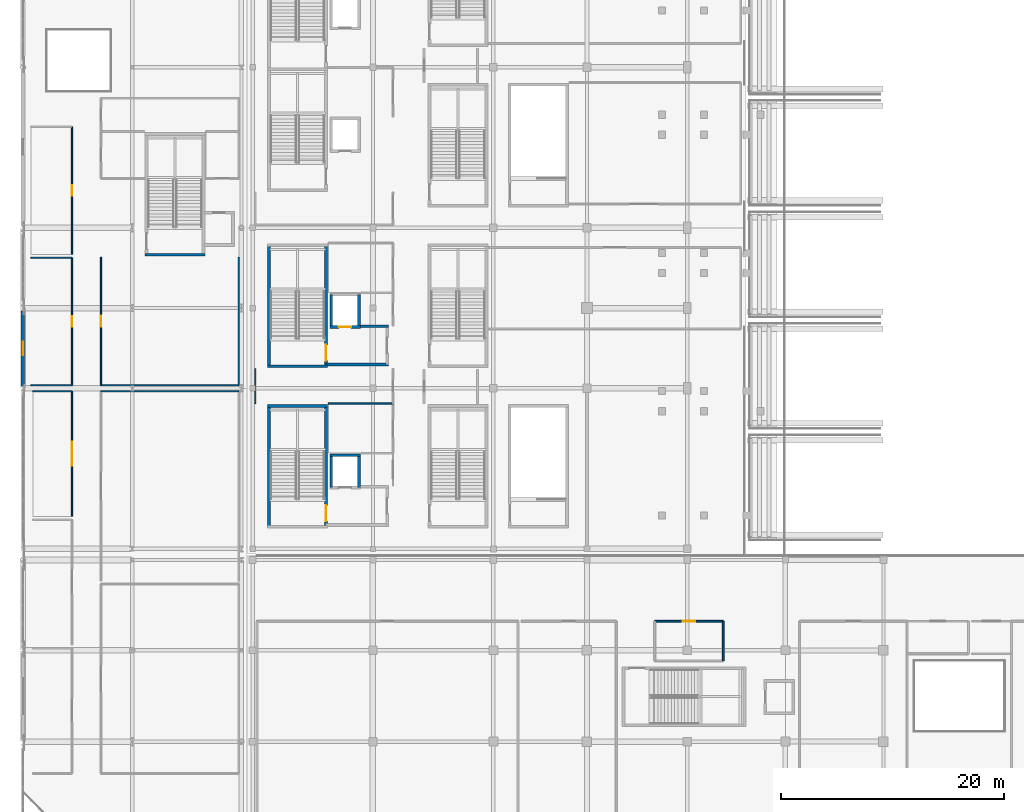
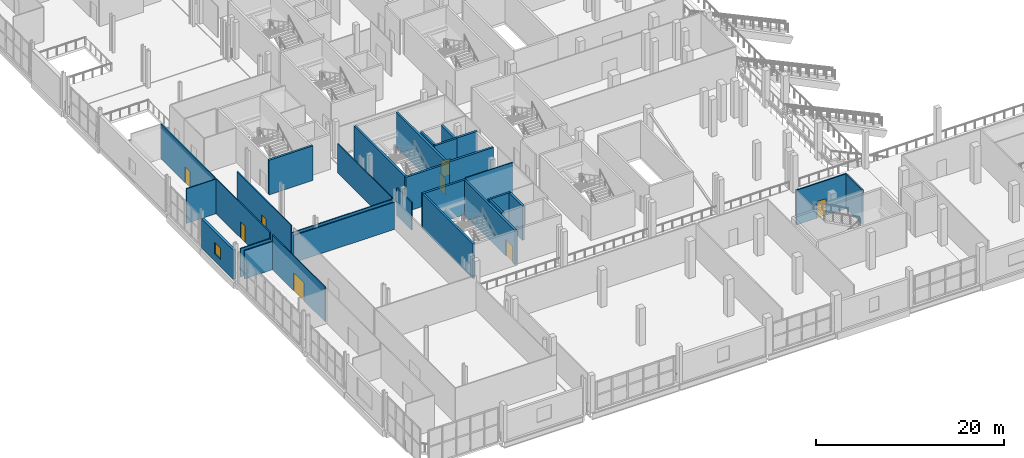
# One storey, part 70 of 129: 30 walls, 8 doors, 1 window, 9 openings.
"""IFC4 building model written with IfcOpenShell, lengths in metres."""

from ifc_helpers import new_model, si_unit, direction, frame, frame_2d, origin, place, context, subcontext, project, spatial, rectangle, extrude, material, layer, layer_set, type_object, element, fill, save


model = new_model("IFC4")

# Units and contexts
model_context = context("Model", 3, precision=1e-05, world=origin(), true_north=direction((0.0, 1.0)))
body_context = subcontext(model_context, "Body", "Model", "MODEL_VIEW")
ifc_project = project(units=[si_unit("LENGTHUNIT", "METRE"), si_unit("AREAUNIT", "SQUARE_METRE"), si_unit("VOLUMEUNIT", "CUBIC_METRE"), si_unit("PLANEANGLEUNIT", "RADIAN"), si_unit("MASSUNIT", "GRAM", prefix="KILO")], contexts=[model_context])

# Site, building, storey
site_placement = place(None, origin())
site = spatial("IfcSite", under=ifc_project, at=site_placement, CompositionType="ELEMENT")
building_placement = place(site_placement, origin())
building = spatial("IfcBuilding", under=site, at=building_placement, Name="Koshinbarg Plaza Stadium", CompositionType="ELEMENT")
storey_placement = place(building_placement, frame((0.0, 0.0, 5.39990234375)))
storey = spatial("IfcBuildingStorey", under=building, at=storey_placement, Name="L01", CompositionType="ELEMENT", Elevation=5.39990234375)

# Walls
ifc_material_1 = material(Name="Concrete C40/50", Category="concrete")
ifc_layer_1 = layer(ifc_material_1, 0.25)
ifc_layer_set_1 = layer_set([ifc_layer_1], Name="Concrete C40/50")
wall_type_1 = type_object("IfcWallType", Name="WL-CORE-250", PredefinedType="SHEAR", material=ifc_layer_set_1)
wall_1_placement = place(storey_placement, frame((31.320068359375, 38.324951171875, 0.0), z_axis=(0.0, 0.0, 1.0), x_axis=(-1.0, 0.0, 0.0)))
element("IfcWall", 1, at=wall_1_placement, inside=storey, type_object=wall_type_1, Name="L01 core stair shear wall C01-far IWL-L01-0006", PredefinedType="SHEAR", context=body_context, shape_type="SweptSolid", body=[
    extrude(rectangle(XDim=5.3701171875, YDim=0.25, at=frame_2d((2.68505859375, 0.0))), origin(), (0.0, 0.0, 1.0), 4.5),
])
wall_2_placement = place(storey_placement, frame((26.074951171875, 27.47509765625, 0.0), z_axis=(0.0, 0.0, 1.0), x_axis=(0.0, 1.0, 0.0)))
element("IfcWall", 2, at=wall_2_placement, inside=storey, type_object=wall_type_1, Name="L01 core stair shear wall C01-left IWL-L01-0007", PredefinedType="SHEAR", context=body_context, shape_type="SweptSolid", body=[
    extrude(rectangle(XDim=10.849853515625, YDim=0.25, at=frame_2d((5.4248046875, 0.0))), origin(), (0.0, 0.0, 1.0), 4.5),
])

# Wall, opening, door
wall_3_placement = place(storey_placement, frame((31.195068359375, 27.47509765625, 0.0), z_axis=(0.0, 0.0, 1.0), x_axis=(0.0, 1.0, 0.0)))
wall_3 = element("IfcWall", 3, at=wall_3_placement, inside=storey, type_object=wall_type_1, Name="L01 core stair shear wall C01-right IWL-L01-0008", PredefinedType="SHEAR", context=body_context, shape_type="SweptSolid", body=[
    extrude(rectangle(XDim=10.849853515625, YDim=0.25, at=frame_2d((5.4248046875, 0.0))), origin(), (0.0, 0.0, 1.0), 4.5),
])
opening_1_placement = place(wall_3_placement, frame((0.52001953125, 0.0, 0.0)))
opening_1 = element("IfcOpeningElement", 4, at=opening_1_placement, cuts=wall_3, Name="Opening D-0062", PredefinedType="OPENING", context=body_context, shape_type="SweptSolid", body=[
    extrude(rectangle(XDim=1.39990234375, YDim=2.14990234375, at=frame_2d((0.699951171875, 1.074951171875))), frame((0.0, 0.135009765625, 0.0), z_axis=(0.0, -1.0, 0.0), x_axis=(1.0, 0.0, 0.0)), (0.0, 0.0, 1.0), 0.27001953125),
])
ifc_material_2 = material(Name="Painted galvanized steel fire door", Category="steel")
door_type_1 = type_object("IfcDoorType", Name="DR-STAIR-1400", OperationType="NOTDEFINED", PredefinedType="DOOR", material=ifc_material_2)
door_1_placement = place(opening_1_placement, origin())
door_1 = element("IfcDoor", 5, at=door_1_placement, inside=storey, type_object=door_type_1, Name="L01 exit stair door C01", OperationType="SINGLE_SWING_RIGHT", OverallHeight=2.14990234375, OverallWidth=1.39990234375, PredefinedType="DOOR", context=body_context, shape_type="SweptSolid", body=[
    extrude(rectangle(XDim=1.39990234375, YDim=2.14990234375, at=frame_2d((0.699951171875, 1.074951171875))), frame((0.0, 0.02490234375, 0.0), z_axis=(0.0, -1.0, 0.0), x_axis=(1.0, 0.0, 0.0)), (0.0, 0.0, 1.0), 0.050048828125),
])
fill(opening_1, door_1)

# Walls
wall_4_placement = place(storey_placement, frame((25.949951171875, 41.875, 0.0), z_axis=(0.0, 0.0, 1.0), x_axis=(1.0, 0.0, 0.0)))
element("IfcWall", 6, at=wall_4_placement, inside=storey, type_object=wall_type_1, Name="L01 core stair shear wall C02-near IWL-L01-0033", PredefinedType="SHEAR", context=body_context, shape_type="SweptSolid", body=[
    extrude(rectangle(XDim=5.3701171875, YDim=0.25, at=frame_2d((2.68505859375, 0.0))), origin(), (0.0, 0.0, 1.0), 4.5),
])
wall_5_placement = place(storey_placement, frame((26.074951171875, 41.875, 0.0), z_axis=(0.0, 0.0, 1.0), x_axis=(0.0, 1.0, 0.0)))
element("IfcWall", 7, at=wall_5_placement, inside=storey, type_object=wall_type_1, Name="L01 core stair shear wall C02-left IWL-L01-0035", PredefinedType="SHEAR", context=body_context, shape_type="SweptSolid", body=[
    extrude(rectangle(XDim=10.85009765625, YDim=0.25, at=frame_2d((5.425048828125, 0.0))), origin(), (0.0, 0.0, 1.0), 4.5),
])

# Wall, opening, door
wall_6_placement = place(storey_placement, frame((31.195068359375, 41.875, 0.0), z_axis=(0.0, 0.0, 1.0), x_axis=(0.0, 1.0, 0.0)))
wall_6 = element("IfcWall", 8, at=wall_6_placement, inside=storey, type_object=wall_type_1, Name="L01 core stair shear wall C02-right IWL-L01-0036", PredefinedType="SHEAR", context=body_context, shape_type="SweptSolid", body=[
    extrude(rectangle(XDim=10.85009765625, YDim=0.25, at=frame_2d((5.425048828125, 0.0))), origin(), (0.0, 0.0, 1.0), 4.5),
])
opening_2_placement = place(wall_6_placement, frame((0.52001953125, 0.0, 0.0)))
opening_2 = element("IfcOpeningElement", 9, at=opening_2_placement, cuts=wall_6, Name="Opening D-0069", PredefinedType="OPENING", context=body_context, shape_type="SweptSolid", body=[
    extrude(rectangle(XDim=1.39990234375, YDim=2.14990234375, at=frame_2d((0.699951171875, 1.074951171875))), frame((0.0, 0.135009765625, 0.0), z_axis=(0.0, -1.0, 0.0), x_axis=(1.0, 0.0, 0.0)), (0.0, 0.0, 1.0), 0.27001953125),
])
door_2_placement = place(opening_2_placement, origin())
door_2 = element("IfcDoor", 10, at=door_2_placement, inside=storey, type_object=door_type_1, Name="L01 exit stair door C02", OperationType="SINGLE_SWING_RIGHT", OverallHeight=2.14990234375, OverallWidth=1.39990234375, PredefinedType="DOOR", context=body_context, shape_type="SweptSolid", body=[
    extrude(rectangle(XDim=1.39990234375, YDim=2.14990234375, at=frame_2d((0.699951171875, 1.074951171875))), frame((0.0, 0.02490234375, 0.0), z_axis=(0.0, -1.0, 0.0), x_axis=(1.0, 0.0, 0.0)), (0.0, 0.0, 1.0), 0.050048828125),
])
fill(opening_2, door_2)

# Walls
wall_7_placement = place(storey_placement, frame((14.949951171875, 51.875, 0.0), z_axis=(0.0, 0.0, 1.0), x_axis=(1.0, 0.0, 0.0)))
element("IfcWall", 11, at=wall_7_placement, inside=storey, type_object=wall_type_1, Name="L01 core stair shear wall C16-near IWL-L01-0346", PredefinedType="SHEAR", context=body_context, shape_type="SweptSolid", body=[
    extrude(rectangle(XDim=5.3701171875, YDim=0.25, at=frame_2d((2.68505859375, 0.0))), origin(), (0.0, 0.0, 1.0), 4.5),
])
wall_8_placement = place(storey_placement, frame((34.27490234375, 33.89990234375, 0.0), z_axis=(0.0, 0.0, 1.0), x_axis=(-1.0, 0.0, 0.0)))
element("IfcWall", 12, at=wall_8_placement, inside=storey, type_object=wall_type_1, Name="L01 lift shaft shear wall FL01-N IWL-L01-0618", PredefinedType="SHEAR", context=body_context, shape_type="SweptSolid", body=[
    extrude(rectangle(XDim=2.75, YDim=0.25, at=frame_2d((1.375, 0.0))), origin(), (0.0, 0.0, 1.0), 4.5),
])
for number, where, z_axis, x_axis, name in (
    (13, (31.64990234375, 33.89990234375, 0.0), (0.0, 0.0, 1.0), (0.0, -1.0, 0.0), "L01 lift shaft shear wall FL01-W IWL-L01-0619"),
    (14, (34.14990234375, 31.0, 0.0), (0.0, 0.0, 1.0), (0.0, 1.0, 0.0), "L01 lift shaft shear wall FL01-E IWL-L01-0620"),
):
    element("IfcWall", number, at=place(storey_placement, frame(where, z_axis=z_axis, x_axis=x_axis)), inside=storey, type_object=wall_type_1, Name=name, PredefinedType="SHEAR", context=body_context, shape_type="SweptSolid", body=[
        extrude(rectangle(XDim=2.89990234375, YDim=0.25, at=frame_2d((1.449951171875, 0.0))), origin(), (0.0, 0.0, 1.0), 4.5),
    ])

# Wall, opening, door
wall_9_placement = place(storey_placement, frame((31.52490234375, 45.39990234375, 0.0), z_axis=(0.0, 0.0, 1.0), x_axis=(1.0, 0.0, 0.0)))
wall_9 = element("IfcWall", 15, at=wall_9_placement, inside=storey, type_object=wall_type_1, Name="L01 lift shaft shear wall FL02-S IWL-L01-0666", PredefinedType="SHEAR", context=body_context, shape_type="SweptSolid", body=[
    extrude(rectangle(XDim=2.75, YDim=0.25, at=frame_2d((1.375, 0.0))), origin(), (0.0, 0.0, 1.0), 4.5),
])
opening_3_placement = place(wall_9_placement, frame((0.824951171875, 0.0, 0.0)))
opening_3 = element("IfcOpeningElement", 16, at=opening_3_placement, cuts=wall_9, Name="Opening D-0231", PredefinedType="OPENING", context=body_context, shape_type="SweptSolid", body=[
    extrude(rectangle(XDim=1.10009765625, YDim=2.14990234375, at=frame_2d((0.550048828125, 1.074951171875))), frame((0.0, 0.135009765625, 0.0), z_axis=(0.0, -1.0, 0.0), x_axis=(1.0, 0.0, 0.0)), (0.0, 0.0, 1.0), 0.27001953125),
])
ifc_material_3 = material(Name="Brushed stainless steel sliding lift landing door", Category="steel")
door_type_2 = type_object("IfcDoorType", Name="DR-LIFT-1100", OperationType="NOTDEFINED", PredefinedType="DOOR", material=ifc_material_3)
door_3_placement = place(opening_3_placement, origin())
door_3 = element("IfcDoor", 17, at=door_3_placement, inside=storey, type_object=door_type_2, Name="L01 lift landing door FL02", OperationType="SLIDING_TO_LEFT", OverallHeight=2.14990234375, OverallWidth=1.10009765625, PredefinedType="DOOR", context=body_context, shape_type="SweptSolid", body=[
    extrude(rectangle(XDim=1.10009765625, YDim=2.14990234375, at=frame_2d((0.550048828125, 1.074951171875))), frame((0.0, 0.02490234375, 0.0), z_axis=(0.0, -1.0, 0.0), x_axis=(1.0, 0.0, 0.0)), (0.0, 0.0, 1.0), 0.050048828125),
])
fill(opening_3, door_3)

# Walls
for number, where, z_axis, x_axis, name in (
    (18, (31.64990234375, 48.300048828125, 0.0), (0.0, 0.0, 1.0), (0.0, -1.0, 0.0), "L01 lift shaft shear wall FL02-W IWL-L01-0668"),
    (19, (34.14990234375, 45.39990234375, 0.0), (0.0, 0.0, 1.0), (0.0, 1.0, 0.0), "L01 lift shaft shear wall FL02-E IWL-L01-0669"),
):
    element("IfcWall", number, at=place(storey_placement, frame(where, z_axis=z_axis, x_axis=x_axis)), inside=storey, type_object=wall_type_1, Name=name, PredefinedType="SHEAR", context=body_context, shape_type="SweptSolid", body=[
        extrude(rectangle(XDim=2.900146484375, YDim=0.25, at=frame_2d((1.4501953125, 0.0))), origin(), (0.0, 0.0, 1.0), 4.5),
    ])
wall_10_placement = place(storey_placement, frame((34.27490234375, 45.47509765625, 0.0), z_axis=(0.0, 0.0, 1.0), x_axis=(1.0, 0.0, 0.0)))
element("IfcWall", 20, at=wall_10_placement, inside=storey, type_object=wall_type_1, Name="L01 firefighting lobby wall C02-NE IWL-L01-0671", PredefinedType="SHEAR", context=body_context, shape_type="SweptSolid", body=[
    extrude(rectangle(XDim=2.525146484375, YDim=0.25, at=frame_2d((1.2626953125, 0.0))), origin(), (0.0, 0.0, 1.0), 4.5),
])
wall_11_placement = place(storey_placement, frame((31.199951171875, 42.02490234375, 0.0), z_axis=(0.0, 0.0, 1.0), x_axis=(1.0, 0.0, 0.0)))
element("IfcWall", 21, at=wall_11_placement, inside=storey, type_object=wall_type_1, Name="L01 firefighting lobby wall C02-S IWL-L01-0672", PredefinedType="SHEAR", context=body_context, shape_type="SweptSolid", body=[
    extrude(rectangle(XDim=5.60009765625, YDim=0.25, at=frame_2d((2.800048828125, 0.0))), origin(), (0.0, 0.0, 1.0), 4.5),
])

# Wall, opening, window
ifc_material_4 = material(Name="Ultramarine-blue pigmented mineral plaster facade wall", Category="masonry")
ifc_layer_2 = layer(ifc_material_4, 0.320068359375)
ifc_layer_set_2 = layer_set([ifc_layer_2], Name="Ultramarine-blue pigmented mineral plaster facade wall")
wall_type_2 = type_object("IfcWallType", Name="WL-EXT-320", PredefinedType="SOLIDWALL", material=ifc_layer_set_2)
wall_12_placement = place(storey_placement, frame((4.0, 40.0849609375, 0.0), z_axis=(0.0, 0.0, 1.0), x_axis=(0.0, 1.0, 0.0)))
wall_12 = element("IfcWall", 22, at=wall_12_placement, inside=storey, type_object=wall_type_2, Name="L01 exterior envelope wall EWL-L01-0074", PredefinedType="SOLIDWALL", context=body_context, shape_type="SweptSolid", body=[
    extrude(rectangle(XDim=6.77001953125, YDim=0.320068359375, at=frame_2d((3.385009765625, 0.0))), origin(), (0.0, 0.0, 1.0), 3.780029296875),
])
opening_4_placement = place(wall_12_placement, frame((2.784912109375, 0.0, 0.89990234375)))
opening_4 = element("IfcOpeningElement", 23, at=opening_4_placement, cuts=wall_12, Name="Opening WN01", PredefinedType="OPENING", context=body_context, shape_type="SweptSolid", body=[
    extrude(rectangle(XDim=1.199951171875, YDim=1.5, at=frame_2d((0.60009765625, 0.75))), frame((0.0, 0.169921875, 0.0), z_axis=(0.0, -1.0, 0.0), x_axis=(1.0, 0.0, 0.0)), (0.0, 0.0, 1.0), 0.340087890625),
])
ifc_material_5 = material(Name="Solar-control double glazing in thermally broken aluminium frame", Category="aluminium")
window_type = type_object("IfcWindowType", Name="WN-FAC-01", PartitioningType="DOUBLE_PANEL_VERTICAL", PredefinedType="WINDOW", material=ifc_material_5)
window_placement = place(opening_4_placement, origin())
window = element("IfcWindow", 24, at=window_placement, inside=storey, type_object=window_type, Name="L01 facade window 0017", OverallHeight=1.5, OverallWidth=1.199951171875, PartitioningType="SINGLE_PANEL", PredefinedType="WINDOW", context=body_context, shape_type="SweptSolid", body=[
    extrude(rectangle(XDim=1.199951171875, YDim=1.5, at=frame_2d((0.60009765625, 0.75))), frame((0.0, 0.030029296875, 0.0), z_axis=(0.0, -1.0, 0.0), x_axis=(1.0, 0.0, 0.0)), (0.0, 0.0, 1.0), 0.06005859375),
])
fill(opening_4, window)

# Walls
ifc_material_6 = material(Name="Gypsum board metal-stud acoustic partition")
ifc_layer_3 = layer(ifc_material_6, 0.1201171875)
ifc_layer_set_3 = layer_set([ifc_layer_3], Name="Gypsum board metal-stud acoustic partition")
wall_type_3 = type_object("IfcWallType", Name="WL-PART-120", PredefinedType="PARTITIONING", material=ifc_layer_set_3)
wall_13_placement = place(storey_placement, frame((24.844970703125, 41.669921875, 0.0), z_axis=(0.0, 0.0, 1.0), x_axis=(0.0, -1.0, 0.0)))
element("IfcWall", 25, at=wall_13_placement, inside=storey, type_object=wall_type_3, Name="L01 interior partition L01-76-west IWL-L01-1346", PredefinedType="PARTITIONING", context=body_context, shape_type="SweptSolid", body=[
    extrude(rectangle(XDim=3.139892578125, YDim=0.1201171875, at=frame_2d((1.56982421875, 0.0))), origin(), (0.0, 0.0, 1.0), 3.580078125),
])
wall_14_placement = place(storey_placement, frame((37.199951171875, 38.530029296875, 0.0), z_axis=(0.0, 0.0, 1.0), x_axis=(-1.0, 0.0, 0.0)))
element("IfcWall", 26, at=wall_14_placement, inside=storey, type_object=wall_type_3, Name="L01 interior partition L01-77-north IWL-L01-1348", PredefinedType="PARTITIONING", context=body_context, shape_type="SweptSolid", body=[
    extrude(rectangle(XDim=5.800048828125, YDim=0.1201171875, at=frame_2d((2.89990234375, 0.0))), origin(), (0.0, 0.0, 1.0), 4.5),
])

# Wall, opening, door
wall_15_placement = place(storey_placement, frame((8.39990234375, 28.4033203125, 0.0), z_axis=(0.0, 0.0, 1.0), x_axis=(0.0, 1.0, 0.0)))
wall_15 = element("IfcWall", 27, at=wall_15_placement, inside=storey, type_object=wall_type_3, Name="L01 interior partition L01-169-east IWL-L01-1594", PredefinedType="PARTITIONING", context=body_context, shape_type="SweptSolid", body=[
    extrude(rectangle(XDim=11.2265625, YDim=0.1201171875, at=frame_2d((5.61328125, 0.0))), origin(), (0.0, 0.0, 1.0), 4.5),
])
opening_5_placement = place(wall_15_placement, frame((4.533447265625, 0.0, 0.0)))
opening_5 = element("IfcOpeningElement", 28, at=opening_5_placement, cuts=wall_15, Name="Opening D-0535", PredefinedType="OPENING", context=body_context, shape_type="SweptSolid", body=[
    extrude(rectangle(XDim=2.159912109375, YDim=2.35009765625, at=frame_2d((1.080078125, 1.175048828125))), frame((0.0, 0.070068359375, 0.0), z_axis=(0.0, -1.0, 0.0), x_axis=(1.0, 0.0, 0.0)), (0.0, 0.0, 1.0), 0.14013671875),
])
ifc_material_7 = material(Name="Galvanized painted steel double leaf door", Category="steel")
door_type_3 = type_object("IfcDoorType", Name="DR-INT-2160x2350", OperationType="NOTDEFINED", PredefinedType="DOOR", material=ifc_material_7)
door_4_placement = place(opening_5_placement, origin())
door_4 = element("IfcDoor", 29, at=door_4_placement, inside=storey, type_object=door_type_3, Name="L01 Media Welcome Lounge door D-0535", OperationType="DOUBLE_DOOR_SINGLE_SWING", OverallHeight=2.35009765625, OverallWidth=2.159912109375, PredefinedType="DOOR", context=body_context, shape_type="SweptSolid", body=[
    extrude(rectangle(XDim=2.159912109375, YDim=2.35009765625, at=frame_2d((1.080078125, 1.175048828125))), frame((0.0, 0.02490234375, 0.0), z_axis=(0.0, -1.0, 0.0), x_axis=(1.0, 0.0, 0.0)), (0.0, 0.0, 1.0), 0.050048828125),
])
fill(opening_5, door_4)

# Walls
wall_16_placement = place(storey_placement, frame((8.39990234375, 39.6298828125, 0.0), z_axis=(0.0, 0.0, 1.0), x_axis=(-1.0, 0.0, 0.0)))
element("IfcWall", 30, at=wall_16_placement, inside=storey, type_object=wall_type_3, Name="L01 interior partition L01-169-north IWL-L01-1595", PredefinedType="PARTITIONING", context=body_context, shape_type="SweptSolid", body=[
    extrude(rectangle(XDim=3.5, YDim=0.1201171875, at=frame_2d((1.75, 0.0))), origin(), (0.0, 0.0, 1.0), 3.68017578125),
])
wall_17_placement = place(storey_placement, frame((23.35498046875, 39.6298828125, 0.0), z_axis=(0.0, 0.0, 1.0), x_axis=(-1.0, 0.0, 0.0)))
element("IfcWall", 31, at=wall_17_placement, inside=storey, type_object=wall_type_3, Name="L01 interior partition L01-171-north IWL-L01-1601", PredefinedType="PARTITIONING", context=body_context, shape_type="SweptSolid", body=[
    extrude(rectangle(XDim=12.35498046875, YDim=0.1201171875, at=frame_2d((6.177490234375, 0.0))), origin(), (0.0, 0.0, 1.0), 3.530029296875),
])
wall_18_placement = place(storey_placement, frame((4.699951171875, 40.169921875, 0.0), z_axis=(0.0, 0.0, 1.0), x_axis=(1.0, 0.0, 0.0)))
element("IfcWall", 32, at=wall_18_placement, inside=storey, type_object=wall_type_3, Name="L01 interior partition L01-172-south IWL-L01-1603", PredefinedType="PARTITIONING", context=body_context, shape_type="SweptSolid", body=[
    extrude(rectangle(XDim=3.699951171875, YDim=0.1201171875, at=frame_2d((1.85009765625, 0.0))), origin(), (0.0, 0.0, 1.0), 3.68017578125),
])

# Wall, opening, door
wall_19_placement = place(storey_placement, frame((8.39990234375, 40.169921875, 0.0), z_axis=(0.0, 0.0, 1.0), x_axis=(0.0, 1.0, 0.0)))
wall_19 = element("IfcWall", 33, at=wall_19_placement, inside=storey, type_object=wall_type_3, Name="L01 interior partition L01-172-east IWL-L01-1604", PredefinedType="PARTITIONING", context=body_context, shape_type="SweptSolid", body=[
    extrude(rectangle(XDim=11.445068359375, YDim=0.1201171875, at=frame_2d((5.72265625, 0.0))), origin(), (0.0, 0.0, 1.0), 4.5),
])
opening_6_placement = place(wall_19_placement, frame((5.262451171875, 0.0, 0.0)))
opening_6 = element("IfcOpeningElement", 34, at=opening_6_placement, cuts=wall_19, Name="Opening D-0538", PredefinedType="OPENING", context=body_context, shape_type="SweptSolid", body=[
    extrude(rectangle(XDim=0.919921875, YDim=2.10009765625, at=frame_2d((0.4599609375, 1.050048828125))), frame((0.0, 0.070068359375, 0.0), z_axis=(0.0, -1.0, 0.0), x_axis=(1.0, 0.0, 0.0)), (0.0, 0.0, 1.0), 0.14013671875),
])
ifc_material_8 = material(Name="Solid-core oak veneer acoustic door")
door_type_4 = type_object("IfcDoorType", Name="DR-INT-0920x2100", OperationType="NOTDEFINED", PredefinedType="DOOR", material=ifc_material_8)
door_5_placement = place(opening_6_placement, origin())
door_5 = element("IfcDoor", 35, at=door_5_placement, inside=storey, type_object=door_type_4, Name="L01 Southwest Shade Arcade Concourse door D-0538", OperationType="SINGLE_SWING_RIGHT", OverallHeight=2.10009765625, OverallWidth=0.919921875, PredefinedType="DOOR", context=body_context, shape_type="SweptSolid", body=[
    extrude(rectangle(XDim=0.919921875, YDim=2.10009765625, at=frame_2d((0.4599609375, 1.050048828125))), frame((0.0, 0.02490234375, 0.0), z_axis=(0.0, -1.0, 0.0), x_axis=(1.0, 0.0, 0.0)), (0.0, 0.0, 1.0), 0.050048828125),
])
fill(opening_6, door_5)

# Wall
wall_20_placement = place(storey_placement, frame((8.39990234375, 51.614990234375, 0.0), z_axis=(0.0, 0.0, 1.0), x_axis=(-1.0, 0.0, 0.0)))
element("IfcWall", 36, at=wall_20_placement, inside=storey, type_object=wall_type_3, Name="L01 interior partition L01-172-north IWL-L01-1605", PredefinedType="PARTITIONING", context=body_context, shape_type="SweptSolid", body=[
    extrude(rectangle(XDim=3.699951171875, YDim=0.1201171875, at=frame_2d((1.85009765625, 0.0))), origin(), (0.0, 0.0, 1.0), 4.5),
])

# Wall, opening, door
wall_21_placement = place(storey_placement, frame((8.39990234375, 51.9150390625, 0.0), z_axis=(0.0, 0.0, 1.0), x_axis=(0.0, 1.0, 0.0)))
wall_21 = element("IfcWall", 37, at=wall_21_placement, inside=storey, type_object=wall_type_3, Name="L01 interior partition L01-173-east IWL-L01-1606", PredefinedType="PARTITIONING", context=body_context, shape_type="SweptSolid", body=[
    extrude(rectangle(XDim=11.445068359375, YDim=0.1201171875, at=frame_2d((5.72265625, 0.0))), origin(), (0.0, 0.0, 1.0), 4.5),
])
opening_7_placement = place(wall_21_placement, frame((5.242431640625, 0.0, 0.0)))
opening_7 = element("IfcOpeningElement", 38, at=opening_7_placement, cuts=wall_21, Name="Opening D-0539", PredefinedType="OPENING", context=body_context, shape_type="SweptSolid", body=[
    extrude(rectangle(XDim=0.9599609375, YDim=2.10009765625, at=frame_2d((0.47998046875, 1.050048828125))), frame((0.0, 0.070068359375, 0.0), z_axis=(0.0, -1.0, 0.0), x_axis=(1.0, 0.0, 0.0)), (0.0, 0.0, 1.0), 0.14013671875),
])
door_type_5 = type_object("IfcDoorType", Name="DR-INT-0960x2100", OperationType="NOTDEFINED", PredefinedType="DOOR", material=ifc_material_8)
door_6_placement = place(opening_7_placement, origin())
door_6 = element("IfcDoor", 39, at=door_6_placement, inside=storey, type_object=door_type_5, Name="L01 Media Welcome Lounge door D-0539", OperationType="SINGLE_SWING_LEFT", OverallHeight=2.10009765625, OverallWidth=0.9599609375, PredefinedType="DOOR", context=body_context, shape_type="SweptSolid", body=[
    extrude(rectangle(XDim=0.9599609375, YDim=2.10009765625, at=frame_2d((0.47998046875, 1.050048828125))), frame((0.0, 0.02490234375, 0.0), z_axis=(0.0, -1.0, 0.0), x_axis=(1.0, 0.0, 0.0)), (0.0, 0.0, 1.0), 0.050048828125),
])
fill(opening_7, door_6)

# Walls
wall_22_placement = place(storey_placement, frame((11.0, 40.169921875, 0.0), z_axis=(0.0, 0.0, 1.0), x_axis=(1.0, 0.0, 0.0)))
element("IfcWall", 40, at=wall_22_placement, inside=storey, type_object=wall_type_3, Name="L01 interior partition L01-174-south IWL-L01-1608", PredefinedType="PARTITIONING", context=body_context, shape_type="SweptSolid", body=[
    extrude(rectangle(XDim=12.35498046875, YDim=0.1201171875, at=frame_2d((6.177490234375, 0.0))), origin(), (0.0, 0.0, 1.0), 3.530029296875),
])
wall_23_placement = place(storey_placement, frame((23.35498046875, 40.169921875, 0.0), z_axis=(0.0, 0.0, 1.0), x_axis=(0.0, 1.0, 0.0)))
element("IfcWall", 41, at=wall_23_placement, inside=storey, type_object=wall_type_3, Name="L01 interior partition L01-174-east IWL-L01-1609", PredefinedType="PARTITIONING", context=body_context, shape_type="SweptSolid", body=[
    extrude(rectangle(XDim=11.5, YDim=0.1201171875, at=frame_2d((5.75, 0.0))), origin(), (0.0, 0.0, 1.0), 3.780029296875),
])

# Wall, opening, door
wall_24_placement = place(storey_placement, frame((11.0, 51.669921875, 0.0), z_axis=(0.0, 0.0, 1.0), x_axis=(0.0, -1.0, 0.0)))
wall_24 = element("IfcWall", 42, at=wall_24_placement, inside=storey, type_object=wall_type_3, Name="L01 interior partition L01-174-west IWL-L01-1610", PredefinedType="PARTITIONING", context=body_context, shape_type="SweptSolid", body=[
    extrude(rectangle(XDim=11.5, YDim=0.1201171875, at=frame_2d((5.75, 0.0))), origin(), (0.0, 0.0, 1.0), 4.5),
])
opening_8_placement = place(wall_24_placement, frame((5.25, 0.0, 0.0)))
opening_8 = element("IfcOpeningElement", 43, at=opening_8_placement, cuts=wall_24, Name="Opening D-0540", PredefinedType="OPENING", context=body_context, shape_type="SweptSolid", body=[
    extrude(rectangle(XDim=1.0, YDim=2.10009765625, at=frame_2d((0.5, 1.050048828125))), frame((0.0, 0.070068359375, 0.0), z_axis=(0.0, -1.0, 0.0), x_axis=(1.0, 0.0, 0.0)), (0.0, 0.0, 1.0), 0.14013671875),
])
ifc_material_9 = material(Name="Solid-core laminate accessible WC door")
door_type_6 = type_object("IfcDoorType", Name="DR-INT-1000x2100", OperationType="NOTDEFINED", PredefinedType="DOOR", material=ifc_material_9)
door_7_placement = place(opening_8_placement, origin())
door_7 = element("IfcDoor", 44, at=door_7_placement, inside=storey, type_object=door_type_6, Name="L01 Media Welcome Lounge door D-0540", OperationType="SINGLE_SWING_RIGHT", OverallHeight=2.10009765625, OverallWidth=1.0, PredefinedType="DOOR", context=body_context, shape_type="SweptSolid", body=[
    extrude(rectangle(XDim=1.0, YDim=2.10009765625, at=frame_2d((0.5, 1.050048828125))), frame((0.0, 0.02490234375, 0.0), z_axis=(0.0, -1.0, 0.0), x_axis=(1.0, 0.0, 0.0)), (0.0, 0.0, 1.0), 0.050048828125),
])
fill(opening_8, door_7)

# Wall
ifc_material_10 = material(Name="Double-layer gypsum acoustic suite partition")
ifc_layer_4 = layer(ifc_material_10, 0.14990234375)
ifc_layer_set_4 = layer_set([ifc_layer_4], Name="Double-layer gypsum acoustic suite partition")
wall_type_4 = type_object("IfcWallType", Name="WL-PART-150", PredefinedType="PARTITIONING", material=ifc_layer_set_4)
wall_25_placement = place(storey_placement, frame((66.820068359375, 15.449951171875, 0.0), z_axis=(0.0, 0.0, 1.0), x_axis=(0.0, 1.0, 0.0)))
element("IfcWall", 45, at=wall_25_placement, inside=storey, type_object=wall_type_4, Name="L01 interior partition L01-142-east IWL-L01-1522", PredefinedType="PARTITIONING", context=body_context, shape_type="SweptSolid", body=[
    extrude(rectangle(XDim=3.550048828125, YDim=0.14990234375, at=frame_2d((1.77490234375, 0.0))), origin(), (0.0, 0.0, 1.0), 4.5),
])

# Wall, opening, door
wall_26_placement = place(storey_placement, frame((66.820068359375, 19.0, 0.0), z_axis=(0.0, 0.0, 1.0), x_axis=(-1.0, 0.0, 0.0)))
wall_26 = element("IfcWall", 46, at=wall_26_placement, inside=storey, type_object=wall_type_4, Name="L01 interior partition L01-142-north IWL-L01-1523", PredefinedType="PARTITIONING", context=body_context, shape_type="SweptSolid", body=[
    extrude(rectangle(XDim=6.14013671875, YDim=0.14990234375, at=frame_2d((3.070068359375, 0.0))), origin(), (0.0, 0.0, 1.0), 4.5),
])
opening_9_placement = place(wall_26_placement, frame((2.510009765625, 0.0, 0.0)))
opening_9 = element("IfcOpeningElement", 47, at=opening_9_placement, cuts=wall_26, Name="Opening D-0508", PredefinedType="OPENING", context=body_context, shape_type="SweptSolid", body=[
    extrude(rectangle(XDim=1.1201171875, YDim=2.14990234375, at=frame_2d((0.56005859375, 1.074951171875))), frame((0.0, 0.0849609375, 0.0), z_axis=(0.0, -1.0, 0.0), x_axis=(1.0, 0.0, 0.0)), (0.0, 0.0, 1.0), 0.169921875),
])
ifc_material_11 = material(Name="Acoustic timber broadcast studio door", Category="wood")
door_type_7 = type_object("IfcDoorType", Name="DR-INT-1120x2150", OperationType="NOTDEFINED", PredefinedType="DOOR", material=ifc_material_11)
door_8_placement = place(opening_9_placement, origin())
door_8 = element("IfcDoor", 48, at=door_8_placement, inside=storey, type_object=door_type_7, Name="L01 Television Interview Studio door D-0508", OperationType="SINGLE_SWING_RIGHT", OverallHeight=2.14990234375, OverallWidth=1.1201171875, PredefinedType="DOOR", context=body_context, shape_type="SweptSolid", body=[
    extrude(rectangle(XDim=1.1201171875, YDim=2.14990234375, at=frame_2d((0.56005859375, 1.074951171875))), frame((0.0, 0.02490234375, 0.0), z_axis=(0.0, -1.0, 0.0), x_axis=(1.0, 0.0, 0.0)), (0.0, 0.0, 1.0), 0.050048828125),
])
fill(opening_9, door_8)

save(model, "model.ifc")
